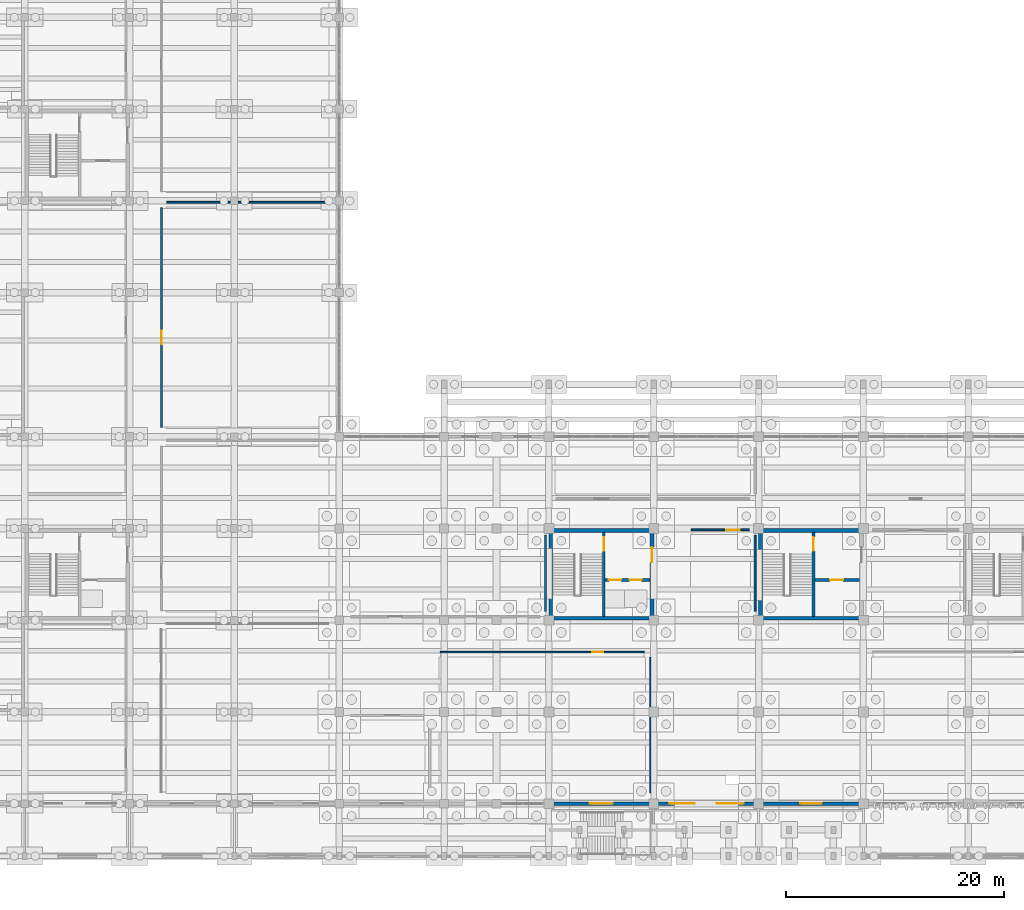
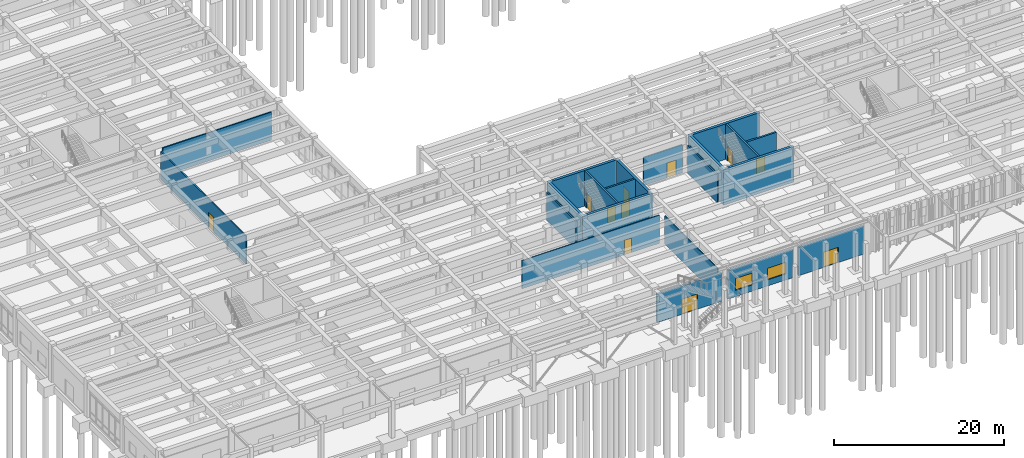
# One storey, part 77 of 102: 21 walls, 11 doors, 2 windows, 13 openings.
"""IFC4 building model written with IfcOpenShell, lengths in metres."""

from ifc_helpers import new_model, si_unit, direction, frame, frame_2d, origin, place, context, subcontext, project, spatial, rectangle, extrude, material, layer, layer_set, type_object, element, fill, save


model = new_model("IFC4")

# Units and contexts
model_context = context("Model", 3, precision=1e-05, world=origin(), true_north=direction((0.0, 1.0)))
body_context = subcontext(model_context, "Body", "Model", "MODEL_VIEW")
ifc_project = project(units=[si_unit("LENGTHUNIT", "METRE"), si_unit("AREAUNIT", "SQUARE_METRE"), si_unit("VOLUMEUNIT", "CUBIC_METRE"), si_unit("PLANEANGLEUNIT", "RADIAN"), si_unit("MASSUNIT", "GRAM", prefix="KILO")], contexts=[model_context])

# Site, building, storey
site_placement = place(None, origin())
site = spatial("IfcSite", under=ifc_project, at=site_placement, CompositionType="ELEMENT")
building_placement = place(site_placement, origin())
building = spatial("IfcBuilding", under=site, at=building_placement, Name="Kolvemor Railside Polytechnic", CompositionType="ELEMENT")
storey_placement = place(building_placement, origin())
storey = spatial("IfcBuildingStorey", under=building, at=storey_placement, Name="L00", CompositionType="ELEMENT", Elevation=0.0)

# Walls
ifc_material_1 = material(Name="Concrete C40/50", Category="concrete")
ifc_layer_1 = layer(ifc_material_1, 0.35009765625, Name="WL-CORE-350")
ifc_layer_set_1 = layer_set([ifc_layer_1], Name="Concrete C40/50")
wall_type_1 = type_object("IfcWallType", Name="WL-CORE-350", PredefinedType="SHEAR", material=ifc_layer_set_1)
for number, where, z_axis, x_axis, name in (
    (1, (67.199951171875, 29.824951171875, 0.0), (0.0, 0.0, 1.0), (1.0, 0.0, 0.0), "CORE-1 North Core Wall L00"),
    (2, (67.199951171875, 21.77490234375, 0.0), (0.0, 0.0, 1.0), (1.0, 0.0, 0.0), "CORE-1 South Core Wall L00"),
):
    element("IfcWall", number, at=place(storey_placement, frame(where, z_axis=z_axis, x_axis=x_axis)), inside=storey, type_object=wall_type_1, Name=name, PredefinedType="SHEAR", context=body_context, shape_type="SweptSolid", body=[
        extrude(rectangle(XDim=9.60009765625, YDim=0.35009765625, at=frame_2d((4.800048828125, 0.0))), origin(), (0.0, 0.0, 1.0), 5.110107421875),
    ])
wall_1_placement = place(storey_placement, frame((67.375, 21.60009765625, 0.0), z_axis=(0.0, 0.0, 1.0), x_axis=(0.0, 1.0, 0.0)))
element("IfcWall", 3, at=wall_1_placement, inside=storey, type_object=wall_type_1, Name="CORE-1 West Core Wall L00", PredefinedType="SHEAR", context=body_context, shape_type="SweptSolid", body=[
    extrude(rectangle(XDim=8.39990234375, YDim=0.35009765625, at=frame_2d((4.199951171875, 0.0))), origin(), (0.0, 0.0, 1.0), 5.110107421875),
])

# Wall, opening, door
wall_2_placement = place(storey_placement, frame((76.625, 21.60009765625, 0.0), z_axis=(0.0, 0.0, 1.0), x_axis=(0.0, 1.0, 0.0)))
wall_2 = element("IfcWall", 4, at=wall_2_placement, inside=storey, type_object=wall_type_1, Name="CORE-1 East Core Wall L00", PredefinedType="SHEAR", context=body_context, shape_type="SweptSolid", body=[
    extrude(rectangle(XDim=8.39990234375, YDim=0.35009765625, at=frame_2d((4.199951171875, 0.0))), origin(), (0.0, 0.0, 1.0), 5.110107421875),
])
opening_1_placement = place(wall_2_placement, frame((5.300048828125, 0.0, 0.0)))
opening_1 = element("IfcOpeningElement", 5, at=opening_1_placement, cuts=wall_2, Name="Opening D-LOB-1-L00", PredefinedType="OPENING", context=body_context, shape_type="SweptSolid", body=[
    extrude(rectangle(XDim=1.39990234375, YDim=2.14990234375, at=frame_2d((0.699951171875, 1.074951171875))), frame((0.0, 0.18505859375, 0.0), z_axis=(0.0, -1.0, 0.0), x_axis=(1.0, 0.0, 0.0)), (0.0, 0.0, 1.0), 0.3701171875),
])
ifc_material_2 = material(Name="Fire-rated hardwood and brushed stainless-steel door", Category="steel")
door_type_1 = type_object("IfcDoorType", Name="DR-FD60-140x215", OperationType="NOTDEFINED", PredefinedType="DOOR", material=ifc_material_2)
door_1_placement = place(opening_1_placement, origin())
door_1 = element("IfcDoor", 6, at=door_1_placement, inside=storey, type_object=door_type_1, Name="Core Lobby Fire Door CORE-1 L00", OperationType="SINGLE_SWING_RIGHT", OverallHeight=2.14990234375, OverallWidth=1.39990234375, PredefinedType="DOOR", context=body_context, shape_type="SweptSolid", body=[
    extrude(rectangle(XDim=1.39990234375, YDim=2.14990234375, at=frame_2d((0.699951171875, 1.074951171875))), frame((0.0, 0.02490234375, 0.0), z_axis=(0.0, -1.0, 0.0), x_axis=(1.0, 0.0, 0.0)), (0.0, 0.0, 1.0), 0.050048828125),
])
fill(opening_1, door_1)

# Walls
for number, where, z_axis, x_axis, name in (
    (7, (86.39990234375, 29.824951171875, 0.0), (0.0, 0.0, 1.0), (1.0, 0.0, 0.0), "CORE-3 North Core Wall L00"),
    (8, (86.39990234375, 21.77490234375, 0.0), (0.0, 0.0, 1.0), (1.0, 0.0, 0.0), "CORE-3 South Core Wall L00"),
):
    element("IfcWall", number, at=place(storey_placement, frame(where, z_axis=z_axis, x_axis=x_axis)), inside=storey, type_object=wall_type_1, Name=name, PredefinedType="SHEAR", context=body_context, shape_type="SweptSolid", body=[
        extrude(rectangle(XDim=9.60009765625, YDim=0.35009765625, at=frame_2d((4.800048828125, 0.0))), origin(), (0.0, 0.0, 1.0), 5.110107421875),
    ])
wall_3_placement = place(storey_placement, frame((86.574951171875, 21.60009765625, 0.0), z_axis=(0.0, 0.0, 1.0), x_axis=(0.0, 1.0, 0.0)))
element("IfcWall", 9, at=wall_3_placement, inside=storey, type_object=wall_type_1, Name="CORE-3 West Core Wall L00", PredefinedType="SHEAR", context=body_context, shape_type="SweptSolid", body=[
    extrude(rectangle(XDim=8.39990234375, YDim=0.35009765625, at=frame_2d((4.199951171875, 0.0))), origin(), (0.0, 0.0, 1.0), 5.110107421875),
])

# Wall, opening, door
ifc_material_3 = material(Name="Concrete C40/50", Category="concrete")
ifc_layer_2 = layer(ifc_material_3, 0.300048828125, Name="WL-EXT-RC-300")
ifc_layer_set_2 = layer_set([ifc_layer_2], Name="Concrete C40/50")
wall_type_2 = type_object("IfcWallType", Name="WL-EXT-RC-300", PredefinedType="SOLIDWALL", material=ifc_layer_set_2)
wall_4_placement = place(storey_placement, frame((67.580078125, 4.800048828125, 0.0), z_axis=(0.0, 0.0, 1.0), x_axis=(1.0, 0.0, 0.0)))
wall_4 = element("IfcWall", 10, at=wall_4_placement, inside=storey, type_object=wall_type_2, Name="Exterior Wall L00-0093", PredefinedType="SOLIDWALL", context=body_context, shape_type="SweptSolid", body=[
    extrude(rectangle(XDim=8.83984375, YDim=0.300048828125, at=frame_2d((4.419921875, 0.0))), origin(), (0.0, 0.0, 1.0), 4.0400390625),
])
opening_2_placement = place(wall_4_placement, frame((3.3701171875, 0.0, 0.0)))
opening_2 = element("IfcOpeningElement", 11, at=opening_2_placement, cuts=wall_4, Name="Opening EX-12", PredefinedType="OPENING", context=body_context, shape_type="SweptSolid", body=[
    extrude(rectangle(XDim=2.10009765625, YDim=2.199951171875, at=frame_2d((1.050048828125, 1.10009765625))), frame((0.0, 0.159912109375, 0.0), z_axis=(0.0, -1.0, 0.0), x_axis=(1.0, 0.0, 0.0)), (0.0, 0.0, 1.0), 0.320068359375),
])
ifc_material_4 = material(Name="Marine-grade thermally broken aluminium and laminated glass door", Category="aluminium")
door_type_2 = type_object("IfcDoorType", Name="DR-EXIT-210x220", OperationType="NOTDEFINED", PredefinedType="DOOR", material=ifc_material_4)
door_2_placement = place(opening_2_placement, origin())
door_2 = element("IfcDoor", 12, at=door_2_placement, inside=storey, type_object=door_type_2, Name="Exterior Door EX-12", OperationType="SINGLE_SWING_RIGHT", OverallHeight=2.199951171875, OverallWidth=2.10009765625, PredefinedType="DOOR", context=body_context, shape_type="SweptSolid", body=[
    extrude(rectangle(XDim=2.10009765625, YDim=2.199951171875, at=frame_2d((1.050048828125, 1.10009765625))), frame((0.0, 0.02490234375, 0.0), z_axis=(0.0, -1.0, 0.0), x_axis=(1.0, 0.0, 0.0)), (0.0, 0.0, 1.0), 0.050048828125),
])
fill(opening_2, door_2)

# Wall, openings, windows
wall_5_placement = place(storey_placement, frame((77.179931640625, 4.800048828125, 0.0), z_axis=(0.0, 0.0, 1.0), x_axis=(1.0, 0.0, 0.0)))
wall_5 = element("IfcWall", 13, at=wall_5_placement, inside=storey, type_object=wall_type_2, Name="Exterior Wall L00-0094", PredefinedType="SOLIDWALL", context=body_context, shape_type="SweptSolid", body=[
    extrude(rectangle(XDim=8.840087890625, YDim=0.300048828125, at=frame_2d((4.419921875, 0.0))), origin(), (0.0, 0.0, 1.0), 4.0400390625),
])
opening_3_placement = place(wall_5_placement, frame((1.034912109375, 0.0, 0.89990234375)))
opening_3 = element("IfcOpeningElement", 14, at=opening_3_placement, cuts=wall_5, Name="Opening WN-M11", PredefinedType="OPENING", context=body_context, shape_type="SweptSolid", body=[
    extrude(rectangle(XDim=2.35009765625, YDim=1.699951171875, at=frame_2d((1.175048828125, 0.85009765625))), frame((0.0, 0.159912109375, 0.0), z_axis=(0.0, -1.0, 0.0), x_axis=(1.0, 0.0, 0.0)), (0.0, 0.0, 1.0), 0.320068359375),
])
opening_4_placement = place(wall_5_placement, frame((5.3798828125, 0.0, 0.89990234375)))
opening_4 = element("IfcOpeningElement", 15, at=opening_4_placement, cuts=wall_5, Name="Opening WN-M22", PredefinedType="OPENING", context=body_context, shape_type="SweptSolid", body=[
    extrude(rectangle(XDim=2.5, YDim=1.64990234375, at=frame_2d((1.25, 0.824951171875))), frame((0.0, 0.159912109375, 0.0), z_axis=(0.0, -1.0, 0.0), x_axis=(1.0, 0.0, 0.0)), (0.0, 0.0, 1.0), 0.320068359375),
])
ifc_material_5 = material(Name="Hurricane-laminated thermally broken aluminium window", Category="aluminium")
window_type_1 = type_object("IfcWindowType", Name="WN-MOD-235x170", PartitioningType="DOUBLE_PANEL_VERTICAL", PredefinedType="WINDOW", material=ifc_material_5)
window_1_placement = place(opening_3_placement, origin())
window_1 = element("IfcWindow", 16, at=window_1_placement, inside=storey, type_object=window_type_1, Name="Window L00-0096", OverallHeight=1.699951171875, OverallWidth=2.35009765625, PartitioningType="SINGLE_PANEL", PredefinedType="WINDOW", context=body_context, shape_type="SweptSolid", body=[
    extrude(rectangle(XDim=2.35009765625, YDim=1.699951171875, at=frame_2d((1.175048828125, 0.85009765625))), frame((0.0, 0.030029296875, 0.0), z_axis=(0.0, -1.0, 0.0), x_axis=(1.0, 0.0, 0.0)), (0.0, 0.0, 1.0), 0.06005859375),
])
fill(opening_3, window_1)
ifc_material_6 = material(Name="Hurricane-laminated thermally broken aluminium window", Category="aluminium")
window_type_2 = type_object("IfcWindowType", Name="WN-MOD-250x165", PartitioningType="DOUBLE_PANEL_VERTICAL", PredefinedType="WINDOW", material=ifc_material_6)
window_2_placement = place(opening_4_placement, origin())
window_2 = element("IfcWindow", 17, at=window_2_placement, inside=storey, type_object=window_type_2, Name="Window L00-0097", OverallHeight=1.64990234375, OverallWidth=2.5, PartitioningType="SINGLE_PANEL", PredefinedType="WINDOW", context=body_context, shape_type="SweptSolid", body=[
    extrude(rectangle(XDim=2.5, YDim=1.64990234375, at=frame_2d((1.25, 0.824951171875))), frame((0.0, 0.030029296875, 0.0), z_axis=(0.0, -1.0, 0.0), x_axis=(1.0, 0.0, 0.0)), (0.0, 0.0, 1.0), 0.06005859375),
])
fill(opening_4, window_2)

# Wall, opening, door
wall_6_placement = place(storey_placement, frame((86.780029296875, 4.800048828125, 0.0), z_axis=(0.0, 0.0, 1.0), x_axis=(1.0, 0.0, 0.0)))
wall_6 = element("IfcWall", 18, at=wall_6_placement, inside=storey, type_object=wall_type_2, Name="Exterior Wall L00-0095", PredefinedType="SOLIDWALL", context=body_context, shape_type="SweptSolid", body=[
    extrude(rectangle(XDim=8.840087890625, YDim=0.300048828125, at=frame_2d((4.419921875, 0.0))), origin(), (0.0, 0.0, 1.0), 4.0400390625),
])
opening_5_placement = place(wall_6_placement, frame((3.419921875, 0.0, 0.0)))
opening_5 = element("IfcOpeningElement", 19, at=opening_5_placement, cuts=wall_6, Name="Opening EX-13", PredefinedType="OPENING", context=body_context, shape_type="SweptSolid", body=[
    extrude(rectangle(XDim=2.0, YDim=2.199951171875, at=frame_2d((1.0, 1.10009765625))), frame((0.0, 0.159912109375, 0.0), z_axis=(0.0, -1.0, 0.0), x_axis=(1.0, 0.0, 0.0)), (0.0, 0.0, 1.0), 0.320068359375),
])
ifc_material_7 = material(Name="Marine-grade thermally broken aluminium and laminated glass door", Category="aluminium")
door_type_3 = type_object("IfcDoorType", Name="DR-EXIT-200x220", OperationType="NOTDEFINED", PredefinedType="DOOR", material=ifc_material_7)
door_3_placement = place(opening_5_placement, origin())
door_3 = element("IfcDoor", 20, at=door_3_placement, inside=storey, type_object=door_type_3, Name="Exterior Door EX-13", OperationType="SINGLE_SWING_LEFT", OverallHeight=2.199951171875, OverallWidth=2.0, PredefinedType="DOOR", context=body_context, shape_type="SweptSolid", body=[
    extrude(rectangle(XDim=2.0, YDim=2.199951171875, at=frame_2d((1.0, 1.10009765625))), frame((0.0, 0.02490234375, 0.0), z_axis=(0.0, -1.0, 0.0), x_axis=(1.0, 0.0, 0.0)), (0.0, 0.0, 1.0), 0.050048828125),
])
fill(opening_5, door_3)

ifc_material_8 = material(Name="Departmental partition")
ifc_layer_3 = layer(ifc_material_8, 0.1298828125, Name="WL-PART-130")
ifc_layer_set_3 = layer_set([ifc_layer_3], Name="Departmental partition")
wall_type_3 = type_object("IfcWallType", Name="WL-PART-130", PredefinedType="PARTITIONING", material=ifc_layer_set_3)
wall_7_placement = place(storey_placement, frame((57.25, 18.679931640625, 0.0), z_axis=(0.0, 0.0, 1.0), x_axis=(1.0, 0.0, 0.0)))
wall_7 = element("IfcWall", 21, at=wall_7_placement, inside=storey, type_object=wall_type_3, Name="Partition Wall L00-0043", PredefinedType="PARTITIONING", context=body_context, shape_type="SweptSolid", body=[
    extrude(rectangle(XDim=18.699951171875, YDim=0.1298828125, at=frame_2d((9.35009765625, 0.0))), origin(), (0.0, 0.0, 1.0), 4.0400390625),
])
opening_6_placement = place(wall_7_placement, frame((13.93603515625, 0.0, 0.0)))
opening_6 = element("IfcOpeningElement", 22, at=opening_6_placement, cuts=wall_7, Name="Opening D-00025", PredefinedType="OPENING", context=body_context, shape_type="SweptSolid", body=[
    extrude(rectangle(XDim=0.97998046875, YDim=2.10009765625, at=frame_2d((0.489990234375, 1.050048828125))), frame((0.0, 0.074951171875, 0.0), z_axis=(0.0, -1.0, 0.0), x_axis=(1.0, 0.0, 0.0)), (0.0, 0.0, 1.0), 0.14990234375),
])
ifc_material_9 = material(Name="Solid hardwood acoustic door", Category="wood")
door_type_4 = type_object("IfcDoorType", Name="DR-ADM-098x210", OperationType="NOTDEFINED", PredefinedType="DOOR", material=ifc_material_9)
door_4_placement = place(opening_6_placement, origin())
door_4 = element("IfcDoor", 23, at=door_4_placement, inside=storey, type_object=door_type_4, Name="Room Door D-00025 (Campus Admissions and Registry Office)", OperationType="SINGLE_SWING_RIGHT", OverallHeight=2.10009765625, OverallWidth=0.97998046875, PredefinedType="DOOR", context=body_context, shape_type="SweptSolid", body=[
    extrude(rectangle(XDim=0.97998046875, YDim=2.10009765625, at=frame_2d((0.489990234375, 1.050048828125))), frame((0.0, 0.02490234375, 0.0), z_axis=(0.0, -1.0, 0.0), x_axis=(1.0, 0.0, 0.0)), (0.0, 0.0, 1.0), 0.050048828125),
])
fill(opening_6, door_4)

# Wall
wall_8_placement = place(storey_placement, frame((76.47998046875, 5.800048828125, 0.0), z_axis=(0.0, 0.0, 1.0), x_axis=(0.0, 1.0, 0.0)))
element("IfcWall", 24, at=wall_8_placement, inside=storey, type_object=wall_type_3, Name="Demising Partition L00-0044", PredefinedType="PARTITIONING", context=body_context, shape_type="SweptSolid", body=[
    extrude(rectangle(XDim=12.39990234375, YDim=0.1298828125, at=frame_2d((6.199951171875, 0.0))), origin(), (0.0, 0.0, 1.0), 4.0400390625),
])

# Wall, opening, door
ifc_material_10 = material(Name="Fire-rated laboratory corridor partition")
ifc_layer_4 = layer(ifc_material_10, 0.1650390625, Name="WL-PART-165")
ifc_layer_set_4 = layer_set([ifc_layer_4], Name="Fire-rated laboratory corridor partition")
wall_type_4 = type_object("IfcWallType", Name="WL-PART-165", PredefinedType="PARTITIONING", material=ifc_layer_set_4)
wall_9_placement = place(storey_placement, frame((31.719970703125, 39.25, 0.0), z_axis=(0.0, 0.0, 1.0), x_axis=(0.0, 1.0, 0.0)))
wall_9 = element("IfcWall", 25, at=wall_9_placement, inside=storey, type_object=wall_type_4, Name="Partition Wall L00-0031", PredefinedType="PARTITIONING", context=body_context, shape_type="SweptSolid", body=[
    extrude(rectangle(XDim=20.10009765625, YDim=0.1650390625, at=frame_2d((10.050048828125, 0.0))), origin(), (0.0, 0.0, 1.0), 4.0400390625),
])
opening_7_placement = place(wall_9_placement, frame((7.632080078125, 0.0, 0.0)))
opening_7 = element("IfcOpeningElement", 26, at=opening_7_placement, cuts=wall_9, Name="Opening D-00019", PredefinedType="OPENING", context=body_context, shape_type="SweptSolid", body=[
    extrude(rectangle(XDim=1.219970703125, YDim=2.14990234375, at=frame_2d((0.60986328125, 1.074951171875))), frame((0.0, 0.092529296875, 0.0), z_axis=(0.0, -1.0, 0.0), x_axis=(1.0, 0.0, 0.0)), (0.0, 0.0, 1.0), 0.18505859375),
])
ifc_material_11 = material(Name="Fire-rated hardwood and brushed stainless-steel door", Category="steel")
door_type_5 = type_object("IfcDoorType", Name="DR-LAB-122x215", OperationType="NOTDEFINED", PredefinedType="DOOR", material=ifc_material_11)
door_5_placement = place(opening_7_placement, origin())
door_5 = element("IfcDoor", 27, at=door_5_placement, inside=storey, type_object=door_type_5, Name="Room Door D-00019 (Hydraulics and Coastal Flume Laboratory)", OperationType="SINGLE_SWING_RIGHT", OverallHeight=2.14990234375, OverallWidth=1.219970703125, PredefinedType="DOOR", context=body_context, shape_type="SweptSolid", body=[
    extrude(rectangle(XDim=1.219970703125, YDim=2.14990234375, at=frame_2d((0.60986328125, 1.074951171875))), frame((0.0, 0.02490234375, 0.0), z_axis=(0.0, -1.0, 0.0), x_axis=(1.0, 0.0, 0.0)), (0.0, 0.0, 1.0), 0.050048828125),
])
fill(opening_7, door_5)

# Walls
wall_10_placement = place(storey_placement, frame((32.199951171875, 59.8798828125, 0.0), z_axis=(0.0, 0.0, 1.0), x_axis=(1.0, 0.0, 0.0)))
element("IfcWall", 28, at=wall_10_placement, inside=storey, type_object=wall_type_4, Name="Demising Partition L00-0032", PredefinedType="PARTITIONING", context=body_context, shape_type="SweptSolid", body=[
    extrude(rectangle(XDim=14.800048828125, YDim=0.1650390625, at=frame_2d((7.39990234375, 0.0))), origin(), (0.0, 0.0, 1.0), 4.0400390625),
])
wall_11_placement = place(storey_placement, frame((66.8798828125, 22.39990234375, 0.0), z_axis=(0.0, 0.0, 1.0), x_axis=(0.0, 1.0, 0.0)))
element("IfcWall", 29, at=wall_11_placement, inside=storey, type_object=wall_type_4, Name="Demising Partition L00-0049", PredefinedType="PARTITIONING", context=body_context, shape_type="SweptSolid", body=[
    extrude(rectangle(XDim=7.0, YDim=0.1650390625, at=frame_2d((3.5, 0.0))), origin(), (0.0, 0.0, 1.0), 4.0400390625),
])

# Wall, opening, door
wall_12_placement = place(storey_placement, frame((80.25, 29.8798828125, 0.0), z_axis=(0.0, 0.0, 1.0), x_axis=(1.0, 0.0, 0.0)))
wall_12 = element("IfcWall", 30, at=wall_12_placement, inside=storey, type_object=wall_type_4, Name="Partition Wall L00-0050", PredefinedType="PARTITIONING", context=body_context, shape_type="SweptSolid", body=[
    extrude(rectangle(XDim=5.300048828125, YDim=0.1650390625, at=frame_2d((2.64990234375, 0.0))), origin(), (0.0, 0.0, 1.0), 4.0400390625),
])
opening_8_placement = place(wall_12_placement, frame((3.18798828125, 0.0, 0.0)))
opening_8 = element("IfcOpeningElement", 31, at=opening_8_placement, cuts=wall_12, Name="Opening D-00029", PredefinedType="OPENING", context=body_context, shape_type="SweptSolid", body=[
    extrude(rectangle(XDim=1.219970703125, YDim=2.14990234375, at=frame_2d((0.60986328125, 1.074951171875))), frame((0.0, 0.092529296875, 0.0), z_axis=(0.0, -1.0, 0.0), x_axis=(1.0, 0.0, 0.0)), (0.0, 0.0, 1.0), 0.18505859375),
])
door_6_placement = place(opening_8_placement, origin())
door_6 = element("IfcDoor", 32, at=door_6_placement, inside=storey, type_object=door_type_5, Name="Room Door D-00029 (Thermodynamics and Solar Energy Laboratory)", OperationType="SINGLE_SWING_RIGHT", OverallHeight=2.14990234375, OverallWidth=1.219970703125, PredefinedType="DOOR", context=body_context, shape_type="SweptSolid", body=[
    extrude(rectangle(XDim=1.219970703125, YDim=2.14990234375, at=frame_2d((0.60986328125, 1.074951171875))), frame((0.0, 0.02490234375, 0.0), z_axis=(0.0, -1.0, 0.0), x_axis=(1.0, 0.0, 0.0)), (0.0, 0.0, 1.0), 0.050048828125),
])
fill(opening_8, door_6)

# Wall
wall_13_placement = place(storey_placement, frame((86.080078125, 22.39990234375, 0.0), z_axis=(0.0, 0.0, 1.0), x_axis=(0.0, 1.0, 0.0)))
element("IfcWall", 33, at=wall_13_placement, inside=storey, type_object=wall_type_4, Name="Demising Partition L00-0051", PredefinedType="PARTITIONING", context=body_context, shape_type="SweptSolid", body=[
    extrude(rectangle(XDim=7.0, YDim=0.1650390625, at=frame_2d((3.5, 0.0))), origin(), (0.0, 0.0, 1.0), 4.0400390625),
])

# Wall, opening, door
ifc_material_12 = material(Name="Concrete C40/50", Category="concrete")
ifc_layer_5 = layer(ifc_material_12, 0.25, Name="WL-SHFT-250")
ifc_layer_set_5 = layer_set([ifc_layer_5], Name="Concrete C40/50")
wall_type_5 = type_object("IfcWallType", Name="WL-SHFT-250", PredefinedType="SHEAR", material=ifc_layer_set_5)
wall_14_placement = place(storey_placement, frame((72.22509765625, 29.64990234375, 0.0), z_axis=(0.0, 0.0, 1.0), x_axis=(0.0, -1.0, 0.0)))
wall_14 = element("IfcWall", 34, at=wall_14_placement, inside=storey, type_object=wall_type_5, Name="CORE-1 Stair-Lobby Divider Wall L00", PredefinedType="SHEAR", context=body_context, shape_type="SweptSolid", body=[
    extrude(rectangle(XDim=7.699951171875, YDim=0.25, at=frame_2d((3.85009765625, 0.0))), origin(), (0.0, 0.0, 1.0), 5.110107421875),
])
opening_9_placement = place(wall_14_placement, frame((0.449951171875, 0.0, 0.0)))
opening_9 = element("IfcOpeningElement", 35, at=opening_9_placement, cuts=wall_14, Name="Opening D-ST-1-L00", PredefinedType="OPENING", context=body_context, shape_type="SweptSolid", body=[
    extrude(rectangle(XDim=1.25, YDim=2.14990234375, at=frame_2d((0.625, 1.074951171875))), frame((0.0, 0.135009765625, 0.0), z_axis=(0.0, -1.0, 0.0), x_axis=(1.0, 0.0, 0.0)), (0.0, 0.0, 1.0), 0.27001953125),
])
ifc_material_13 = material(Name="Fire-rated hardwood and brushed stainless-steel door", Category="steel")
door_type_6 = type_object("IfcDoorType", Name="DR-FD90-125x215", OperationType="NOTDEFINED", PredefinedType="DOOR", material=ifc_material_13)
door_7_placement = place(opening_9_placement, origin())
door_7 = element("IfcDoor", 36, at=door_7_placement, inside=storey, type_object=door_type_6, Name="Stair Fire Door ST-1 L00", OperationType="SINGLE_SWING_LEFT", OverallHeight=2.14990234375, OverallWidth=1.25, PredefinedType="DOOR", context=body_context, shape_type="SweptSolid", body=[
    extrude(rectangle(XDim=1.25, YDim=2.14990234375, at=frame_2d((0.625, 1.074951171875))), frame((0.0, 0.02490234375, 0.0), z_axis=(0.0, -1.0, 0.0), x_axis=(1.0, 0.0, 0.0)), (0.0, 0.0, 1.0), 0.050048828125),
])
fill(opening_9, door_7)

# Wall, openings, doors
wall_15_placement = place(storey_placement, frame((72.35009765625, 25.27490234375, 0.0), z_axis=(0.0, 0.0, 1.0), x_axis=(1.0, 0.0, 0.0)))
wall_15 = element("IfcWall", 37, at=wall_15_placement, inside=storey, type_object=wall_type_5, Name="CORE-1 Lift Shaft Front Wall L00", PredefinedType="SHEAR", context=body_context, shape_type="SweptSolid", body=[
    extrude(rectangle(XDim=4.099853515625, YDim=0.25, at=frame_2d((2.0498046875, 0.0))), origin(), (0.0, 0.0, 1.0), 5.110107421875),
])
opening_10_placement = place(wall_15_placement, frame((0.35009765625, 0.0, 0.0)))
opening_10 = element("IfcOpeningElement", 38, at=opening_10_placement, cuts=wall_15, Name="Opening LD-FL-1-L00", PredefinedType="OPENING", context=body_context, shape_type="SweptSolid", body=[
    extrude(rectangle(XDim=1.10009765625, YDim=2.14990234375, at=frame_2d((0.550048828125, 1.074951171875))), frame((0.0, 0.135009765625, 0.0), z_axis=(0.0, -1.0, 0.0), x_axis=(1.0, 0.0, 0.0)), (0.0, 0.0, 1.0), 0.27001953125),
])
opening_11_placement = place(wall_15_placement, frame((2.25, 0.0, 0.0)))
opening_11 = element("IfcOpeningElement", 39, at=opening_11_placement, cuts=wall_15, Name="Opening LD-PL-1-L00", PredefinedType="OPENING", context=body_context, shape_type="SweptSolid", body=[
    extrude(rectangle(XDim=1.10009765625, YDim=2.14990234375, at=frame_2d((0.550048828125, 1.074951171875))), frame((0.0, 0.135009765625, 0.0), z_axis=(0.0, -1.0, 0.0), x_axis=(1.0, 0.0, 0.0)), (0.0, 0.0, 1.0), 0.27001953125),
])
ifc_material_14 = material(Name="Fire-rated hardwood and brushed stainless-steel door", Category="steel")
door_type_7 = type_object("IfcDoorType", Name="DR-LIFT-110x215", OperationType="SLIDING_TO_LEFT", PredefinedType="DOOR", material=ifc_material_14)
door_8_placement = place(opening_10_placement, origin())
door_8 = element("IfcDoor", 40, at=door_8_placement, inside=storey, type_object=door_type_7, Name="Lift Landing Sliding Door FL-1 L00", OperationType="SLIDING_TO_LEFT", OverallHeight=2.14990234375, OverallWidth=1.10009765625, PredefinedType="DOOR", context=body_context, shape_type="SweptSolid", body=[
    extrude(rectangle(XDim=1.10009765625, YDim=2.14990234375, at=frame_2d((0.550048828125, 1.074951171875))), frame((0.0, 0.02490234375, 0.0), z_axis=(0.0, -1.0, 0.0), x_axis=(1.0, 0.0, 0.0)), (0.0, 0.0, 1.0), 0.050048828125),
])
fill(opening_10, door_8)
door_9_placement = place(opening_11_placement, origin())
door_9 = element("IfcDoor", 41, at=door_9_placement, inside=storey, type_object=door_type_7, Name="Lift Landing Sliding Door PL-1 L00", OperationType="SLIDING_TO_LEFT", OverallHeight=2.14990234375, OverallWidth=1.10009765625, PredefinedType="DOOR", context=body_context, shape_type="SweptSolid", body=[
    extrude(rectangle(XDim=1.10009765625, YDim=2.14990234375, at=frame_2d((0.550048828125, 1.074951171875))), frame((0.0, 0.02490234375, 0.0), z_axis=(0.0, -1.0, 0.0), x_axis=(1.0, 0.0, 0.0)), (0.0, 0.0, 1.0), 0.050048828125),
])
fill(opening_11, door_9)

# Wall, opening, door
wall_16_placement = place(storey_placement, frame((91.425048828125, 29.64990234375, 0.0), z_axis=(0.0, 0.0, 1.0), x_axis=(0.0, -1.0, 0.0)))
wall_16 = element("IfcWall", 42, at=wall_16_placement, inside=storey, type_object=wall_type_5, Name="CORE-3 Stair-Lobby Divider Wall L00", PredefinedType="SHEAR", context=body_context, shape_type="SweptSolid", body=[
    extrude(rectangle(XDim=7.699951171875, YDim=0.25, at=frame_2d((3.85009765625, 0.0))), origin(), (0.0, 0.0, 1.0), 5.110107421875),
])
opening_12_placement = place(wall_16_placement, frame((0.449951171875, 0.0, 0.0)))
opening_12 = element("IfcOpeningElement", 43, at=opening_12_placement, cuts=wall_16, Name="Opening D-ST-3-L00", PredefinedType="OPENING", context=body_context, shape_type="SweptSolid", body=[
    extrude(rectangle(XDim=1.25, YDim=2.14990234375, at=frame_2d((0.625, 1.074951171875))), frame((0.0, 0.135009765625, 0.0), z_axis=(0.0, -1.0, 0.0), x_axis=(1.0, 0.0, 0.0)), (0.0, 0.0, 1.0), 0.27001953125),
])
door_10_placement = place(opening_12_placement, origin())
door_10 = element("IfcDoor", 44, at=door_10_placement, inside=storey, type_object=door_type_6, Name="Stair Fire Door ST-3 L00", OperationType="SINGLE_SWING_LEFT", OverallHeight=2.14990234375, OverallWidth=1.25, PredefinedType="DOOR", context=body_context, shape_type="SweptSolid", body=[
    extrude(rectangle(XDim=1.25, YDim=2.14990234375, at=frame_2d((0.625, 1.074951171875))), frame((0.0, 0.02490234375, 0.0), z_axis=(0.0, -1.0, 0.0), x_axis=(1.0, 0.0, 0.0)), (0.0, 0.0, 1.0), 0.050048828125),
])
fill(opening_12, door_10)

wall_17_placement = place(storey_placement, frame((91.550048828125, 25.27490234375, 0.0), z_axis=(0.0, 0.0, 1.0), x_axis=(1.0, 0.0, 0.0)))
wall_17 = element("IfcWall", 45, at=wall_17_placement, inside=storey, type_object=wall_type_5, Name="CORE-3 Lift Shaft Front Wall L00", PredefinedType="SHEAR", context=body_context, shape_type="SweptSolid", body=[
    extrude(rectangle(XDim=4.099853515625, YDim=0.25, at=frame_2d((2.0498046875, 0.0))), origin(), (0.0, 0.0, 1.0), 5.110107421875),
])
opening_13_placement = place(wall_17_placement, frame((1.39990234375, 0.0, 0.0)))
opening_13 = element("IfcOpeningElement", 46, at=opening_13_placement, cuts=wall_17, Name="Opening D-RSR-3-L00", PredefinedType="OPENING", context=body_context, shape_type="SweptSolid", body=[
    extrude(rectangle(XDim=1.199951171875, YDim=2.14990234375, at=frame_2d((0.60009765625, 1.074951171875))), frame((0.0, 0.135009765625, 0.0), z_axis=(0.0, -1.0, 0.0), x_axis=(1.0, 0.0, 0.0)), (0.0, 0.0, 1.0), 0.27001953125),
])
ifc_material_15 = material(Name="Fire-rated hardwood and brushed stainless-steel door", Category="steel")
door_type_8 = type_object("IfcDoorType", Name="DR-FD60-120x215", OperationType="NOTDEFINED", PredefinedType="DOOR", material=ifc_material_15)
door_11_placement = place(opening_13_placement, origin())
door_11 = element("IfcDoor", 47, at=door_11_placement, inside=storey, type_object=door_type_8, Name="Riser Fire Door CORE-3 L00", OperationType="SINGLE_SWING_RIGHT", OverallHeight=2.14990234375, OverallWidth=1.199951171875, PredefinedType="DOOR", context=body_context, shape_type="SweptSolid", body=[
    extrude(rectangle(XDim=1.199951171875, YDim=2.14990234375, at=frame_2d((0.60009765625, 1.074951171875))), frame((0.0, 0.02490234375, 0.0), z_axis=(0.0, -1.0, 0.0), x_axis=(1.0, 0.0, 0.0)), (0.0, 0.0, 1.0), 0.050048828125),
])
fill(opening_13, door_11)

save(model, "model.ifc")
